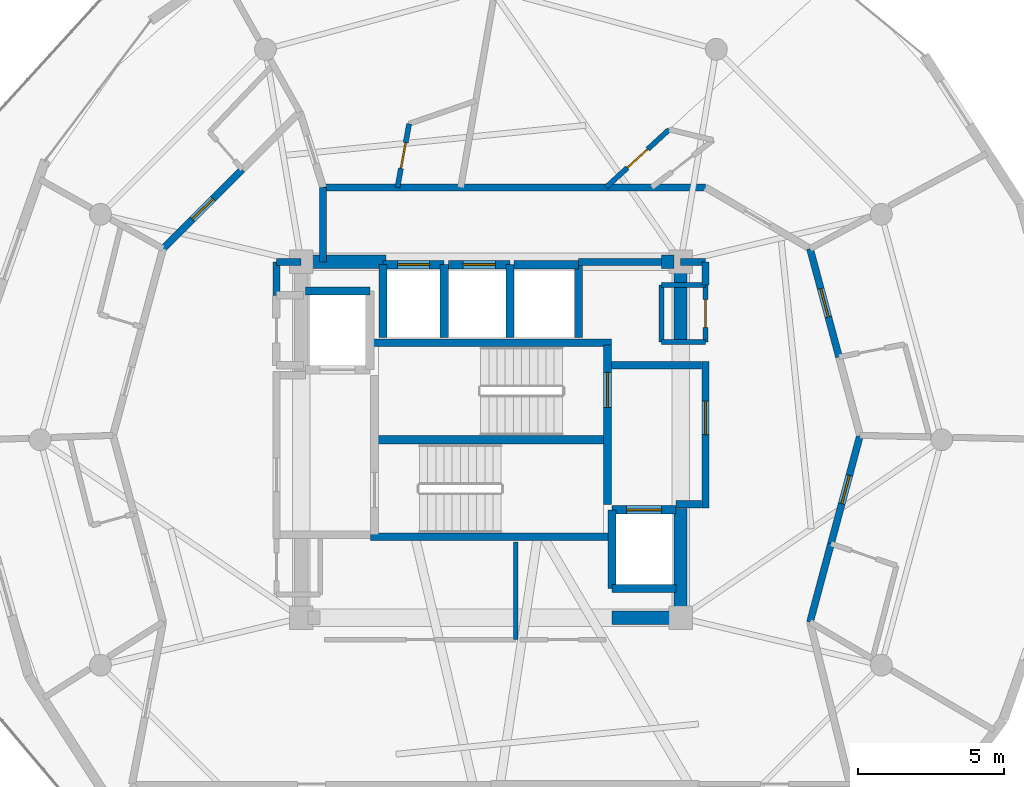
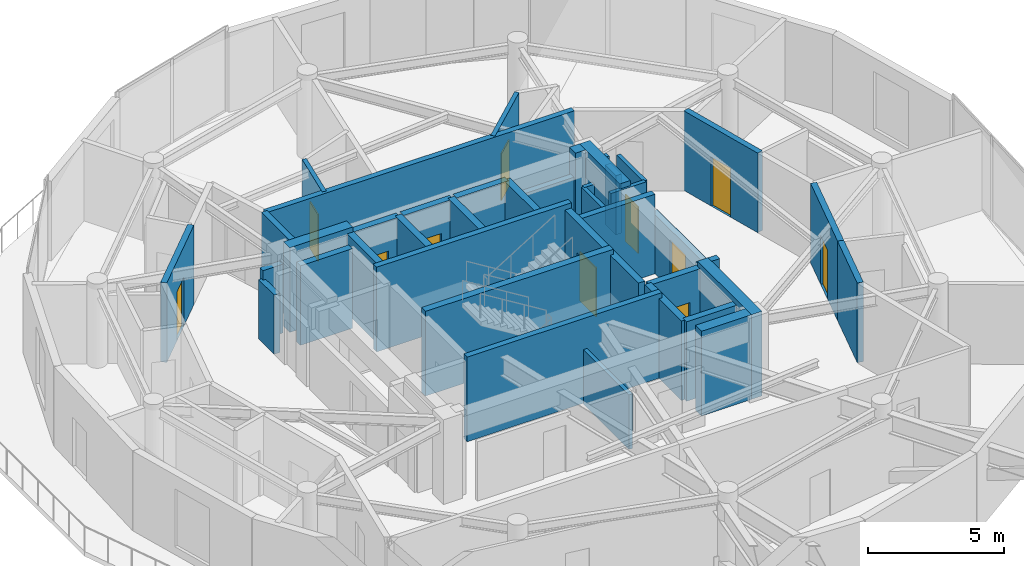
# One storey, part 12 of 16: 41 walls, 11 doors, 11 openings.
"""IFC4 building model written with IfcOpenShell, lengths in metres."""

from ifc_helpers import new_model, si_unit, direction, frame, frame_2d, origin, place, context, subcontext, project, spatial, rectangle, extrude, material, layer, layer_set, type_object, element, fill, save


model = new_model("IFC4")

# Units and contexts
model_context = context("Model", 3, precision=1e-05, world=origin(), true_north=direction((0.0, 1.0)))
body_context = subcontext(model_context, "Body", "Model", "MODEL_VIEW")
ifc_project = project(units=[si_unit("LENGTHUNIT", "METRE"), si_unit("AREAUNIT", "SQUARE_METRE"), si_unit("VOLUMEUNIT", "CUBIC_METRE"), si_unit("PLANEANGLEUNIT", "RADIAN"), si_unit("MASSUNIT", "GRAM", prefix="KILO")], contexts=[model_context])

# Site, building, storey
site_placement = place(None, origin())
site = spatial("IfcSite", under=ifc_project, at=site_placement, CompositionType="ELEMENT")
building_placement = place(site_placement, origin())
building = spatial("IfcBuilding", under=site, at=building_placement, Name="Solvirekh Grand Hotel", CompositionType="ELEMENT")
storey_placement = place(building_placement, frame((0.0, 0.0, 258.199951171875)))
storey = spatial("IfcBuildingStorey", under=building, at=storey_placement, Name="L67", CompositionType="ELEMENT", Elevation=258.199951171875)

# Walls
ifc_material_1 = material(Name="Concrete C50/60", Category="concrete")
ifc_layer_1 = layer(ifc_material_1, 0.35009765625)
ifc_layer_set_1 = layer_set([ifc_layer_1], Name="Concrete C50/60")
wall_type_1 = type_object("IfcWallType", Name="CoreDivWall_RC350", PredefinedType="SOLIDWALL", material=ifc_layer_set_1)
for number, where, z_axis, x_axis, name in (
    (1, (-4.1298828125, -3.324951171875, 0.0), (0.0, 0.0, 1.0), (1.0, 0.0, 0.0), "L67 core stair box wall ST-S"),
    (2, (-4.1298828125, 3.324951171875, 0.0), (0.0, 0.0, 1.0), (1.0, 0.0, 0.0), "L67 core stair box wall ST-N"),
):
    element("IfcWall", number, at=place(storey_placement, frame(where, z_axis=z_axis, x_axis=x_axis)), inside=storey, type_object=wall_type_1, Name=name, PredefinedType="SOLIDWALL", context=body_context, shape_type="SweptSolid", body=[
        extrude(rectangle(XDim=8.259765625, YDim=0.25, at=frame_2d((4.1298828125, 0.0))), origin(), (0.0, 0.0, 1.0), 3.800048828125),
    ])

# Wall, opening, door
ifc_material_2 = material(Name="Concrete C40/50", Category="concrete")
ifc_layer_2 = layer(ifc_material_2, 0.280029296875)
ifc_layer_set_2 = layer_set([ifc_layer_2], Name="Concrete C40/50")
wall_type_2 = type_object("IfcWallType", Name="CoreShaftWall_RC280", PredefinedType="SOLIDWALL", material=ifc_layer_set_2)
wall_1_placement = place(storey_placement, frame((-1.60009765625, 6.0, 0.0), z_axis=(0.0, 0.0, 1.0), x_axis=(-1.0, 0.0, 0.0)))
wall_1 = element("IfcWall", 3, at=wall_1_placement, inside=storey, type_object=wall_type_2, Name="L67 HP-1 hoistway N wall", PredefinedType="SOLIDWALL", context=body_context, shape_type="SweptSolid", body=[
    extrude(rectangle(XDim=2.099853515625, YDim=0.280029296875, at=frame_2d((1.0498046875, 0.0))), origin(), (0.0, 0.0, 1.0), 3.570068359375),
])
opening_1_placement = place(wall_1_placement, frame((0.5, 0.0, 0.0)))
opening_1 = element("IfcOpeningElement", 4, at=opening_1_placement, cuts=wall_1, Name="Opening LD01", PredefinedType="OPENING", context=body_context, shape_type="SweptSolid", body=[
    extrude(rectangle(XDim=1.10009765625, YDim=2.199951171875, at=frame_2d((0.550048828125, 1.10009765625))), frame((0.0, 0.14990234375, 0.0), z_axis=(0.0, -1.0, 0.0), x_axis=(1.0, 0.0, 0.0)), (0.0, 0.0, 1.0), 0.300048828125),
])
ifc_material_3 = material(Name="Fire-Rated Steel Door Assembly", Category="steel")
door_type_1 = type_object("IfcDoorType", Name="Door_LiftLanding_1100X2200", OperationType="SLIDING_TO_LEFT", PredefinedType="DOOR", material=ifc_material_3)
door_1_placement = place(opening_1_placement, origin())
door_1 = element("IfcDoor", 5, at=door_1_placement, inside=storey, type_object=door_type_1, Name="L67 HP-1 sliding lift landing door", OperationType="SLIDING_TO_LEFT", OverallHeight=2.199951171875, OverallWidth=1.10009765625, PredefinedType="DOOR", context=body_context, shape_type="SweptSolid", body=[
    extrude(rectangle(XDim=1.10009765625, YDim=2.199951171875, at=frame_2d((0.550048828125, 1.10009765625))), frame((0.0, 0.02490234375, 0.0), z_axis=(0.0, -1.0, 0.0), x_axis=(1.0, 0.0, 0.0)), (0.0, 0.0, 1.0), 0.050048828125),
])
fill(opening_1, door_1)

# Walls
for number, where, z_axis, x_axis, name in (
    (6, (-3.699951171875, 6.0, 0.0), (0.0, 0.0, 1.0), (0.0, -1.0, 0.0), "L67 HP-1 hoistway W wall"),
    (7, (-1.60009765625, 3.5, 0.0), (0.0, 0.0, 1.0), (0.0, 1.0, 0.0), "L67 HP-1 hoistway E wall"),
):
    element("IfcWall", number, at=place(storey_placement, frame(where, z_axis=z_axis, x_axis=x_axis)), inside=storey, type_object=wall_type_2, Name=name, PredefinedType="SOLIDWALL", context=body_context, shape_type="SweptSolid", body=[
        extrude(rectangle(XDim=2.5, YDim=0.280029296875, at=frame_2d((1.25, 0.0))), origin(), (0.0, 0.0, 1.0), 3.570068359375),
    ])

# Wall, opening, door
wall_2_placement = place(storey_placement, frame((0.64990234375, 6.0, 0.0), z_axis=(0.0, 0.0, 1.0), x_axis=(-1.0, 0.0, 0.0)))
wall_2 = element("IfcWall", 8, at=wall_2_placement, inside=storey, type_object=wall_type_2, Name="L67 HP-2 hoistway N wall", PredefinedType="SOLIDWALL", context=body_context, shape_type="SweptSolid", body=[
    extrude(rectangle(XDim=2.099853515625, YDim=0.280029296875, at=frame_2d((1.0498046875, 0.0))), origin(), (0.0, 0.0, 1.0), 3.570068359375),
])
opening_2_placement = place(wall_2_placement, frame((0.5, 0.0, 0.0)))
opening_2 = element("IfcOpeningElement", 9, at=opening_2_placement, cuts=wall_2, Name="Opening LD01", PredefinedType="OPENING", context=body_context, shape_type="SweptSolid", body=[
    extrude(rectangle(XDim=1.10009765625, YDim=2.199951171875, at=frame_2d((0.550048828125, 1.10009765625))), frame((0.0, 0.14990234375, 0.0), z_axis=(0.0, -1.0, 0.0), x_axis=(1.0, 0.0, 0.0)), (0.0, 0.0, 1.0), 0.300048828125),
])
door_2_placement = place(opening_2_placement, origin())
door_2 = element("IfcDoor", 10, at=door_2_placement, inside=storey, type_object=door_type_1, Name="L67 HP-2 sliding lift landing door", OperationType="SLIDING_TO_LEFT", OverallHeight=2.199951171875, OverallWidth=1.10009765625, PredefinedType="DOOR", context=body_context, shape_type="SweptSolid", body=[
    extrude(rectangle(XDim=1.10009765625, YDim=2.199951171875, at=frame_2d((0.550048828125, 1.10009765625))), frame((0.0, 0.02490234375, 0.0), z_axis=(0.0, -1.0, 0.0), x_axis=(1.0, 0.0, 0.0)), (0.0, 0.0, 1.0), 0.050048828125),
])
fill(opening_2, door_2)

# Walls
wall_3_placement = place(storey_placement, frame((0.64990234375, 3.5, 0.0), z_axis=(0.0, 0.0, 1.0), x_axis=(0.0, 1.0, 0.0)))
element("IfcWall", 11, at=wall_3_placement, inside=storey, type_object=wall_type_2, Name="L67 HP-2 hoistway E wall", PredefinedType="SOLIDWALL", context=body_context, shape_type="SweptSolid", body=[
    extrude(rectangle(XDim=2.5, YDim=0.280029296875, at=frame_2d((1.25, 0.0))), origin(), (0.0, 0.0, 1.0), 3.570068359375),
])
wall_4_placement = place(storey_placement, frame((3.0, 6.0, 0.0), z_axis=(0.0, 0.0, 1.0), x_axis=(-1.0, 0.0, 0.0)))
element("IfcWall", 12, at=wall_4_placement, inside=storey, type_object=wall_type_2, Name="L67 EX-1 hoistway N wall", PredefinedType="SOLIDWALL", context=body_context, shape_type="SweptSolid", body=[
    extrude(rectangle(XDim=2.199951171875, YDim=0.280029296875, at=frame_2d((1.10009765625, 0.0))), origin(), (0.0, 0.0, 1.0), 3.570068359375),
])
wall_5_placement = place(storey_placement, frame((3.0, 3.5, 0.0), z_axis=(0.0, 0.0, 1.0), x_axis=(0.0, 1.0, 0.0)))
element("IfcWall", 13, at=wall_5_placement, inside=storey, type_object=wall_type_2, Name="L67 EX-1 hoistway E wall", PredefinedType="SOLIDWALL", context=body_context, shape_type="SweptSolid", body=[
    extrude(rectangle(XDim=2.5, YDim=0.280029296875, at=frame_2d((1.25, 0.0))), origin(), (0.0, 0.0, 1.0), 3.570068359375),
])
for number, where, z_axis, x_axis, name in (
    (14, (-4.14990234375, 5.10009765625, 0.0), (0.0, 0.0, 1.0), (-1.0, 0.0, 0.0), "L67 FL-1 hoistway N wall"),
    (15, (4.14990234375, -5.10009765625, 0.0), (0.0, 0.0, 1.0), (1.0, 0.0, 0.0), "L67 FL-2 hoistway S wall"),
):
    element("IfcWall", number, at=place(storey_placement, frame(where, z_axis=z_axis, x_axis=x_axis)), inside=storey, type_object=wall_type_2, Name=name, PredefinedType="SOLIDWALL", context=body_context, shape_type="SweptSolid", body=[
        extrude(rectangle(XDim=2.2001953125, YDim=0.280029296875, at=frame_2d((1.10009765625, 0.0))), origin(), (0.0, 0.0, 1.0), 3.570068359375),
    ])

# Wall, opening, door
wall_6_placement = place(storey_placement, frame((6.35009765625, -2.39990234375, 0.0), z_axis=(0.0, 0.0, 1.0), x_axis=(-1.0, 0.0, 0.0)))
wall_6 = element("IfcWall", 16, at=wall_6_placement, inside=storey, type_object=wall_type_2, Name="L67 FL-2 hoistway N wall", PredefinedType="SOLIDWALL", context=body_context, shape_type="SweptSolid", body=[
    extrude(rectangle(XDim=2.2001953125, YDim=0.280029296875, at=frame_2d((1.10009765625, 0.0))), origin(), (0.0, 0.0, 1.0), 3.570068359375),
])
opening_3_placement = place(wall_6_placement, frame((0.5, 0.0, 0.0)))
opening_3 = element("IfcOpeningElement", 17, at=opening_3_placement, cuts=wall_6, Name="Opening LD02", PredefinedType="OPENING", context=body_context, shape_type="SweptSolid", body=[
    extrude(rectangle(XDim=1.199951171875, YDim=2.199951171875, at=frame_2d((0.60009765625, 1.10009765625))), frame((0.0, 0.14990234375, 0.0), z_axis=(0.0, -1.0, 0.0), x_axis=(1.0, 0.0, 0.0)), (0.0, 0.0, 1.0), 0.300048828125),
])
door_type_2 = type_object("IfcDoorType", Name="Door_LiftFF_1200X2200", OperationType="SLIDING_TO_LEFT", PredefinedType="DOOR", material=ifc_material_3)
door_3_placement = place(opening_3_placement, origin())
door_3 = element("IfcDoor", 18, at=door_3_placement, inside=storey, type_object=door_type_2, Name="L67 FL-2 sliding lift landing door", OperationType="SLIDING_TO_LEFT", OverallHeight=2.199951171875, OverallWidth=1.199951171875, PredefinedType="DOOR", context=body_context, shape_type="SweptSolid", body=[
    extrude(rectangle(XDim=1.199951171875, YDim=2.199951171875, at=frame_2d((0.60009765625, 1.10009765625))), frame((0.0, 0.02490234375, 0.0), z_axis=(0.0, -1.0, 0.0), x_axis=(1.0, 0.0, 0.0)), (0.0, 0.0, 1.0), 0.050048828125),
])
fill(opening_3, door_3)

# Wall
wall_7_placement = place(storey_placement, frame((4.14990234375, -2.39990234375, 0.0), z_axis=(0.0, 0.0, 1.0), x_axis=(0.0, -1.0, 0.0)))
element("IfcWall", 19, at=wall_7_placement, inside=storey, type_object=wall_type_2, Name="L67 FL-2 hoistway W wall", PredefinedType="SOLIDWALL", context=body_context, shape_type="SweptSolid", body=[
    extrude(rectangle(XDim=2.7001953125, YDim=0.280029296875, at=frame_2d((1.35009765625, 0.0))), origin(), (0.0, 0.0, 1.0), 3.570068359375),
])

# Wall, opening, door
wall_8_placement = place(storey_placement, frame((3.989990234375, -2.2099609375, 0.0), z_axis=(0.0, 0.0, 1.0), x_axis=(0.0, 1.0, 0.0)))
wall_8 = element("IfcWall", 20, at=wall_8_placement, inside=storey, type_object=wall_type_2, Name="L67 east stair landing enclosure wall", PredefinedType="SOLIDWALL", context=body_context, shape_type="SweptSolid", body=[
    extrude(rectangle(XDim=5.4599609375, YDim=0.280029296875, at=frame_2d((2.72998046875, 0.0))), origin(), (0.0, 0.0, 1.0), 3.570068359375),
])
opening_4_placement = place(wall_8_placement, frame((3.322998046875, 0.0, 0.0)))
opening_4 = element("IfcOpeningElement", 21, at=opening_4_placement, cuts=wall_8, Name="Opening D05", PredefinedType="OPENING", context=body_context, shape_type="SweptSolid", body=[
    extrude(rectangle(XDim=1.199951171875, YDim=2.199951171875, at=frame_2d((0.60009765625, 1.10009765625))), frame((0.0, 0.14990234375, 0.0), z_axis=(0.0, -1.0, 0.0), x_axis=(1.0, 0.0, 0.0)), (0.0, 0.0, 1.0), 0.300048828125),
])
door_type_3 = type_object("IfcDoorType", Name="Door_StairCore_1200X2200", OperationType="NOTDEFINED", PredefinedType="DOOR", material=ifc_material_3)
door_4_placement = place(opening_4_placement, origin())
door_4 = element("IfcDoor", 22, at=door_4_placement, inside=storey, type_object=door_type_3, Name="L67 exit stair ST-2 fire door", OperationType="SINGLE_SWING_LEFT", OverallHeight=2.199951171875, OverallWidth=1.199951171875, PredefinedType="DOOR", context=body_context, shape_type="SweptSolid", body=[
    extrude(rectangle(XDim=1.199951171875, YDim=2.199951171875, at=frame_2d((0.60009765625, 1.10009765625))), frame((0.0, 0.02490234375, 0.0), z_axis=(0.0, -1.0, 0.0), x_axis=(1.0, 0.0, 0.0)), (0.0, 0.0, 1.0), 0.050048828125),
])
fill(opening_4, door_4)

# Walls
ifc_layer_3 = layer(ifc_material_1, 0.449951171875)
ifc_layer_set_3 = layer_set([ifc_layer_3], Name="Concrete C50/60")
wall_type_3 = type_object("IfcWallType", Name="CoreWall_RC450", PredefinedType="SHEAR", material=ifc_layer_set_3)
wall_9_placement = place(storey_placement, frame((-3.989990234375, 0.0, 0.0), z_axis=(0.0, 0.0, 1.0), x_axis=(1.0, 0.0, 0.0)))
element("IfcWall", 23, at=wall_9_placement, inside=storey, type_object=wall_type_3, Name="L67 central stair-spine shear wall", PredefinedType="SHEAR", context=body_context, shape_type="SweptSolid", body=[
    extrude(rectangle(XDim=7.97998046875, YDim=0.300048828125, at=frame_2d((3.989990234375, 0.0))), origin(), (0.0, 0.0, 1.0), 3.800048828125),
])
wall_10_placement = place(storey_placement, frame((4.14990234375, -6.10009765625, 0.0), z_axis=(0.0, 0.0, 1.0), x_axis=(1.0, 0.0, 0.0)))
element("IfcWall", 24, at=wall_10_placement, inside=storey, type_object=wall_type_3, Name="L67 core corner shear wall SE-S", PredefinedType="SHEAR", context=body_context, shape_type="SweptSolid", body=[
    extrude(rectangle(XDim=2.125, YDim=0.449951171875, at=frame_2d((1.0625, 0.0))), origin(), (0.0, 0.0, 1.0), 3.800048828125),
])
wall_11_placement = place(storey_placement, frame((-6.27490234375, 6.10009765625, 0.0), z_axis=(0.0, 0.0, 1.0), x_axis=(1.0, 0.0, 0.0)))
element("IfcWall", 25, at=wall_11_placement, inside=storey, type_object=wall_type_3, Name="L67 core corner shear wall NW-N", PredefinedType="SHEAR", context=body_context, shape_type="SweptSolid", body=[
    extrude(rectangle(XDim=2.6748046875, YDim=0.449951171875, at=frame_2d((1.33740234375, 0.0))), origin(), (0.0, 0.0, 1.0), 3.800048828125),
])
wall_12_placement = place(storey_placement, frame((5.85009765625, 6.10009765625, 0.0), z_axis=(0.0, 0.0, 1.0), x_axis=(1.0, 0.0, 0.0)))
element("IfcWall", 26, at=wall_12_placement, inside=storey, type_object=wall_type_3, Name="L67 core corner shear wall NE-N", PredefinedType="SHEAR", context=body_context, shape_type="SweptSolid", body=[
    extrude(rectangle(XDim=0.4248046875, YDim=0.449951171875, at=frame_2d((0.21240234375, 0.0))), origin(), (0.0, 0.0, 1.0), 3.800048828125),
])
wall_13_placement = place(storey_placement, frame((6.5, -6.324951171875, 0.0), z_axis=(0.0, 0.0, 1.0), x_axis=(0.0, 1.0, 0.0)))
element("IfcWall", 27, at=wall_13_placement, inside=storey, type_object=wall_type_3, Name="L67 core corner shear wall ES-E", PredefinedType="SHEAR", context=body_context, shape_type="SweptSolid", body=[
    extrude(rectangle(XDim=3.974853515625, YDim=0.449951171875, at=frame_2d((1.9873046875, 0.0))), origin(), (0.0, 0.0, 1.0), 3.800048828125),
])
wall_14_placement = place(storey_placement, frame((6.5, 3.35009765625, 0.0), z_axis=(0.0, 0.0, 1.0), x_axis=(0.0, 1.0, 0.0)))
element("IfcWall", 28, at=wall_14_placement, inside=storey, type_object=wall_type_3, Name="L67 core corner shear wall EN-E", PredefinedType="SHEAR", context=body_context, shape_type="SweptSolid", body=[
    extrude(rectangle(XDim=2.974853515625, YDim=0.449951171875, at=frame_2d((1.4873046875, 0.0))), origin(), (0.0, 0.0, 1.0), 3.800048828125),
])
ifc_material_4 = material(Name="Acoustic Gypsum Partition Assembly")
ifc_layer_4 = layer(ifc_material_4, 0.1650390625)
ifc_layer_set_4 = layer_set([ifc_layer_4], Name="Acoustic Gypsum Partition Assembly")
wall_type_4 = type_object("IfcWallType", Name="Part_BOH_165", PredefinedType="PARTITIONING", material=ifc_layer_set_4)
wall_15_placement = place(storey_placement, frame((5.85009765625, 3.35009765625, 0.0), z_axis=(0.0, 0.0, 1.0), x_axis=(1.0, 0.0, 0.0)))
element("IfcWall", 29, at=wall_15_placement, inside=storey, type_object=wall_type_4, Name="L67 L67 Core Housekeeping Room wall 1", PredefinedType="PARTITIONING", context=body_context, shape_type="SweptSolid", body=[
    extrude(rectangle(XDim=1.5, YDim=0.1650390625, at=frame_2d((0.75, 0.0))), origin(), (0.0, 0.0, 1.0), 3.570068359375),
])

# Wall, opening, door
wall_16_placement = place(storey_placement, frame((7.35009765625, 3.35009765625, 0.0), z_axis=(0.0, 0.0, 1.0), x_axis=(0.0, 1.0, 0.0)))
wall_16 = element("IfcWall", 30, at=wall_16_placement, inside=storey, type_object=wall_type_4, Name="L67 L67 Core Housekeeping Room wall 2", PredefinedType="PARTITIONING", context=body_context, shape_type="SweptSolid", body=[
    extrude(rectangle(XDim=1.949951171875, YDim=0.1650390625, at=frame_2d((0.97509765625, 0.0))), origin(), (0.0, 0.0, 1.0), 3.570068359375),
])
opening_5_placement = place(wall_16_placement, frame((0.5, 0.0, 0.0)))
opening_5 = element("IfcOpeningElement", 31, at=opening_5_placement, cuts=wall_16, Name="Opening D10", PredefinedType="OPENING", context=body_context, shape_type="SweptSolid", body=[
    extrude(rectangle(XDim=0.949951171875, YDim=2.10009765625, at=frame_2d((0.47509765625, 1.050048828125))), frame((0.0, 0.092529296875, 0.0), z_axis=(0.0, -1.0, 0.0), x_axis=(1.0, 0.0, 0.0)), (0.0, 0.0, 1.0), 0.18505859375),
])
ifc_material_5 = material(Name="Anodized Bronze Aluminium 6063-T6", Category="aluminium")
door_type_4 = type_object("IfcDoorType", Name="Door_RoomInt_950X2100", OperationType="NOTDEFINED", PredefinedType="DOOR", material=ifc_material_5)
door_5_placement = place(opening_5_placement, origin())
door_5 = element("IfcDoor", 32, at=door_5_placement, inside=storey, type_object=door_type_4, Name="L67 L67 Core Housekeeping Room door", OperationType="SINGLE_SWING_RIGHT", OverallHeight=2.10009765625, OverallWidth=0.949951171875, PredefinedType="DOOR", context=body_context, shape_type="SweptSolid", body=[
    extrude(rectangle(XDim=0.949951171875, YDim=2.10009765625, at=frame_2d((0.47509765625, 1.050048828125))), frame((0.0, 0.02490234375, 0.0), z_axis=(0.0, -1.0, 0.0), x_axis=(1.0, 0.0, 0.0)), (0.0, 0.0, 1.0), 0.050048828125),
])
fill(opening_5, door_5)

# Walls
wall_17_placement = place(storey_placement, frame((7.35009765625, 5.300048828125, 0.0), z_axis=(0.0, 0.0, 1.0), x_axis=(-1.0, 0.0, 0.0)))
element("IfcWall", 33, at=wall_17_placement, inside=storey, type_object=wall_type_4, Name="L67 L67 Core Housekeeping Room wall 3", PredefinedType="PARTITIONING", context=body_context, shape_type="SweptSolid", body=[
    extrude(rectangle(XDim=1.5, YDim=0.1650390625, at=frame_2d((0.75, 0.0))), origin(), (0.0, 0.0, 1.0), 2.655029296875),
])
wall_18_placement = place(storey_placement, frame((5.85009765625, 5.300048828125, 0.0), z_axis=(0.0, 0.0, 1.0), x_axis=(0.0, -1.0, 0.0)))
element("IfcWall", 34, at=wall_18_placement, inside=storey, type_object=wall_type_4, Name="L67 L67 Core Housekeeping Room wall 4", PredefinedType="PARTITIONING", context=body_context, shape_type="SweptSolid", body=[
    extrude(rectangle(XDim=1.949951171875, YDim=0.1650390625, at=frame_2d((0.97509765625, 0.0))), origin(), (0.0, 0.0, 1.0), 2.655029296875),
])
wall_19_placement = place(storey_placement, frame((0.85009765625, -6.85009765625, 0.0), z_axis=(0.0, 0.0, 1.0), x_axis=(0.0, 1.0, 0.0)))
element("IfcWall", 35, at=wall_19_placement, inside=storey, type_object=wall_type_4, Name="L67 Housekeeping Linen Room wall 2", PredefinedType="PARTITIONING", context=body_context, shape_type="SweptSolid", body=[
    extrude(rectangle(XDim=3.35009765625, YDim=0.1650390625, at=frame_2d((1.675048828125, 0.0))), origin(), (0.0, 0.0, 1.0), 2.448974609375),
])

# Wall, opening, door
ifc_layer_5 = layer(ifc_material_4, 0.239990234375)
ifc_layer_set_5 = layer_set([ifc_layer_5], Name="Acoustic Gypsum Partition Assembly")
wall_type_5 = type_object("IfcWallType", Name="Part_Corridor_240", PredefinedType="PARTITIONING", material=ifc_layer_set_5)
wall_20_placement = place(storey_placement, frame((7.35009765625, -2.340087890625, 0.0), z_axis=(0.0, 0.0, 1.0), x_axis=(0.0, 1.0, 0.0)))
wall_20 = element("IfcWall", 36, at=wall_20_placement, inside=storey, type_object=wall_type_5, Name="L67 east firefighting lobby smoke screen wall", PredefinedType="PARTITIONING", context=body_context, shape_type="SweptSolid", body=[
    extrude(rectangle(XDim=5.02001953125, YDim=0.239990234375, at=frame_2d((2.510009765625, 0.0))), origin(), (0.0, 0.0, 1.0), 2.655029296875),
])
opening_6_placement = place(wall_20_placement, frame((2.514892578125, 0.0, 0.0)))
opening_6 = element("IfcOpeningElement", 37, at=opening_6_placement, cuts=wall_20, Name="Opening D06", PredefinedType="OPENING", context=body_context, shape_type="SweptSolid", body=[
    extrude(rectangle(XDim=1.14990234375, YDim=2.199951171875, at=frame_2d((0.574951171875, 1.10009765625))), frame((0.0, 0.1298828125, 0.0), z_axis=(0.0, -1.0, 0.0), x_axis=(1.0, 0.0, 0.0)), (0.0, 0.0, 1.0), 0.260009765625),
])
door_type_5 = type_object("IfcDoorType", Name="Door_FFLobby_1150X2200", OperationType="NOTDEFINED", PredefinedType="DOOR", material=ifc_material_3)
door_6_placement = place(opening_6_placement, origin())
door_6 = element("IfcDoor", 38, at=door_6_placement, inside=storey, type_object=door_type_5, Name="L67 east firefighting lobby smoke door", OperationType="SINGLE_SWING_LEFT", OverallHeight=2.199951171875, OverallWidth=1.14990234375, PredefinedType="DOOR", context=body_context, shape_type="SweptSolid", body=[
    extrude(rectangle(XDim=1.14990234375, YDim=2.199951171875, at=frame_2d((0.574951171875, 1.10009765625))), frame((0.0, 0.02490234375, 0.0), z_axis=(0.0, -1.0, 0.0), x_axis=(1.0, 0.0, 0.0)), (0.0, 0.0, 1.0), 0.050048828125),
])
fill(opening_6, door_6)

# Walls
wall_21_placement = place(storey_placement, frame((-5.75, 8.64990234375, 0.0), z_axis=(0.0, 0.0, 1.0), x_axis=(1.0, 0.0, 0.0)))
element("IfcWall", 39, at=wall_21_placement, inside=storey, type_object=wall_type_5, Name="L67 north lift lobby enclosure wall", PredefinedType="PARTITIONING", context=body_context, shape_type="SweptSolid", body=[
    extrude(rectangle(XDim=13.10009765625, YDim=0.239990234375, at=frame_2d((6.550048828125, 0.0))), origin(), (0.0, 0.0, 1.0), 3.570068359375),
])
wall_22_placement = place(storey_placement, frame((3.0, 6.10009765625, 0.0), z_axis=(0.0, 0.0, 1.0), x_axis=(1.0, 0.0, 0.0)))
element("IfcWall", 40, at=wall_22_placement, inside=storey, type_object=wall_type_5, Name="L67 north core shaft infill wall", PredefinedType="PARTITIONING", context=body_context, shape_type="SweptSolid", body=[
    extrude(rectangle(XDim=2.85009765625, YDim=0.239990234375, at=frame_2d((1.425048828125, 0.0))), origin(), (0.0, 0.0, 1.0), 2.655029296875),
])
wall_23_placement = place(storey_placement, frame((7.35009765625, 5.300048828125, 0.0), z_axis=(0.0, 0.0, 1.0), x_axis=(0.0, 1.0, 0.0)))
element("IfcWall", 41, at=wall_23_placement, inside=storey, type_object=wall_type_5, Name="L67 NE core cheek closure wall", PredefinedType="PARTITIONING", context=body_context, shape_type="SweptSolid", body=[
    extrude(rectangle(XDim=0.800048828125, YDim=0.239990234375, at=frame_2d((0.39990234375, 0.0))), origin(), (0.0, 0.0, 1.0), 2.655029296875),
])
wall_24_placement = place(storey_placement, frame((6.5, 6.10009765625, 0.0), z_axis=(0.0, 0.0, 1.0), x_axis=(1.0, 0.0, 0.0)))
element("IfcWall", 42, at=wall_24_placement, inside=storey, type_object=wall_type_5, Name="L67 NE core corner tie wall", PredefinedType="PARTITIONING", context=body_context, shape_type="SweptSolid", body=[
    extrude(rectangle(XDim=0.85009765625, YDim=0.239990234375, at=frame_2d((0.425048828125, 0.0))), origin(), (0.0, 0.0, 1.0), 3.0849609375),
])
wall_25_placement = place(storey_placement, frame((-5.75, 6.10009765625, 0.0), z_axis=(0.0, 0.0, 1.0), x_axis=(0.0, 1.0, 0.0)))
element("IfcWall", 43, at=wall_25_placement, inside=storey, type_object=wall_type_5, Name="L67 north lift lobby west wall", PredefinedType="PARTITIONING", context=body_context, shape_type="SweptSolid", body=[
    extrude(rectangle(XDim=2.5498046875, YDim=0.239990234375, at=frame_2d((1.27490234375, 0.0))), origin(), (0.0, 0.0, 1.0), 3.570068359375),
])
wall_26_placement = place(storey_placement, frame((-7.35009765625, 4.949951171875, 0.0), z_axis=(0.0, 0.0, 1.0), x_axis=(0.0, 1.0, 0.0)))
element("IfcWall", 44, at=wall_26_placement, inside=storey, type_object=wall_type_5, Name="L67 NW core cheek closure wall", PredefinedType="PARTITIONING", context=body_context, shape_type="SweptSolid", body=[
    extrude(rectangle(XDim=1.150146484375, YDim=0.239990234375, at=frame_2d((0.5751953125, 0.0))), origin(), (0.0, 0.0, 1.0), 2.655029296875),
])
wall_27_placement = place(storey_placement, frame((-7.35009765625, 6.10009765625, 0.0), z_axis=(0.0, 0.0, 1.0), x_axis=(1.0, 0.0, 0.0)))
element("IfcWall", 45, at=wall_27_placement, inside=storey, type_object=wall_type_5, Name="L67 NW core corner tie wall", PredefinedType="PARTITIONING", context=body_context, shape_type="SweptSolid", body=[
    extrude(rectangle(XDim=0.85009765625, YDim=0.239990234375, at=frame_2d((0.425048828125, 0.0))), origin(), (0.0, 0.0, 1.0), 3.0849609375),
])

# Wall, opening, door
wall_28_placement = place(storey_placement, frame((-8.51806640625, 9.26708984375, 0.0), z_axis=(0.0, 0.0, 1.0), x_axis=(-0.707106781187, -0.707106781187, 0.0)))
wall_28 = element("IfcWall", 46, at=wall_28_placement, inside=storey, type_object=wall_type_5, Name="L67 Deluxe Guestroom 6903 entrance wall", PredefinedType="PARTITIONING", context=body_context, shape_type="SweptSolid", body=[
    extrude(rectangle(XDim=3.842529296875, YDim=0.239990234375, at=frame_2d((1.92138671875, 0.0))), origin(), (0.0, 0.0, 1.0), 3.570068359375),
])
opening_7_placement = place(wall_28_placement, frame((1.4208984375, 0.0, 0.0)))
opening_7 = element("IfcOpeningElement", 47, at=opening_7_placement, cuts=wall_28, Name="Opening D07", PredefinedType="OPENING", context=body_context, shape_type="SweptSolid", body=[
    extrude(rectangle(XDim=1.0, YDim=2.199951171875, at=frame_2d((0.5, 1.10009765625))), frame((0.0, 0.1298828125, 0.0), z_axis=(0.0, -1.0, 0.0), x_axis=(1.0, 0.0, 0.0)), (0.0, 0.0, 1.0), 0.260009765625),
])
door_type_6 = type_object("IfcDoorType", Name="Door_GuestEntry_1000X2200", OperationType="NOTDEFINED", PredefinedType="DOOR", material=ifc_material_3)
door_7_placement = place(opening_7_placement, origin())
door_7 = element("IfcDoor", 48, at=door_7_placement, inside=storey, type_object=door_type_6, Name="L67 Deluxe Guestroom 6903 entrance door", OperationType="SINGLE_SWING_LEFT", OverallHeight=2.199951171875, OverallWidth=1.0, PredefinedType="DOOR", context=body_context, shape_type="SweptSolid", body=[
    extrude(rectangle(XDim=1.0, YDim=2.199951171875, at=frame_2d((0.5, 1.10009765625))), frame((0.0, 0.02490234375, 0.0), z_axis=(0.0, -1.0, 0.0), x_axis=(1.0, 0.0, 0.0)), (0.0, 0.0, 1.0), 0.050048828125),
])
fill(opening_7, door_7)

# Wall
wall_29_placement = place(storey_placement, frame((10.93505859375, -6.25, 0.0), z_axis=(0.0, 0.0, 1.0), x_axis=(0.258727314432, 0.96595040078, 0.0)))
element("IfcWall", 49, at=wall_29_placement, inside=storey, type_object=wall_type_5, Name="L67 En-suite Bathroom 6906 corridor backing wall", PredefinedType="PARTITIONING", context=body_context, shape_type="SweptSolid", body=[
    extrude(rectangle(XDim=2.78271484375, YDim=0.239990234375, at=frame_2d((1.391357421875, 0.0))), origin(), (0.0, 0.0, 1.0), 3.570068359375),
])

# Wall, opening, door
wall_30_placement = place(storey_placement, frame((11.655029296875, -3.56201171875, 0.0), z_axis=(0.0, 0.0, 1.0), x_axis=(0.258884274469, 0.965908345772, 0.0)))
wall_30 = element("IfcWall", 50, at=wall_30_placement, inside=storey, type_object=wall_type_5, Name="L67 Deluxe Guestroom 6906 entrance wall", PredefinedType="PARTITIONING", context=body_context, shape_type="SweptSolid", body=[
    extrude(rectangle(XDim=3.843017578125, YDim=0.239990234375, at=frame_2d((1.92138671875, 0.0))), origin(), (0.0, 0.0, 1.0), 3.570068359375),
])
opening_8_placement = place(wall_30_placement, frame((1.422119140625, 0.0, 0.0)))
opening_8 = element("IfcOpeningElement", 51, at=opening_8_placement, cuts=wall_30, Name="Opening D07", PredefinedType="OPENING", context=body_context, shape_type="SweptSolid", body=[
    extrude(rectangle(XDim=1.0, YDim=2.199951171875, at=frame_2d((0.5, 1.10009765625))), frame((0.0, 0.1298828125, 0.0), z_axis=(0.0, -1.0, 0.0), x_axis=(1.0, 0.0, 0.0)), (0.0, 0.0, 1.0), 0.260009765625),
])
door_8_placement = place(opening_8_placement, origin())
door_8 = element("IfcDoor", 52, at=door_8_placement, inside=storey, type_object=door_type_6, Name="L67 Deluxe Guestroom 6906 entrance door", OperationType="SINGLE_SWING_LEFT", OverallHeight=2.199951171875, OverallWidth=1.0, PredefinedType="DOOR", context=body_context, shape_type="SweptSolid", body=[
    extrude(rectangle(XDim=1.0, YDim=2.199951171875, at=frame_2d((0.5, 1.10009765625))), frame((0.0, 0.02490234375, 0.0), z_axis=(0.0, -1.0, 0.0), x_axis=(1.0, 0.0, 0.0)), (0.0, 0.0, 1.0), 0.050048828125),
])
fill(opening_8, door_8)

wall_31_placement = place(storey_placement, frame((11.929931640625, 2.837890625, 0.0), z_axis=(0.0, 0.0, 1.0), x_axis=(-0.258868389222, 0.965912603221, 0.0)))
wall_31 = element("IfcWall", 53, at=wall_31_placement, inside=storey, type_object=wall_type_5, Name="L67 Deluxe Guestroom 6907 entrance wall", PredefinedType="PARTITIONING", context=body_context, shape_type="SweptSolid", body=[
    extrude(rectangle(XDim=3.84326171875, YDim=0.239990234375, at=frame_2d((1.921630859375, 0.0))), origin(), (0.0, 0.0, 1.0), 3.570068359375),
])
opening_9_placement = place(wall_31_placement, frame((1.422119140625, 0.0, 0.0)))
opening_9 = element("IfcOpeningElement", 54, at=opening_9_placement, cuts=wall_31, Name="Opening D07", PredefinedType="OPENING", context=body_context, shape_type="SweptSolid", body=[
    extrude(rectangle(XDim=1.0, YDim=2.199951171875, at=frame_2d((0.5, 1.10009765625))), frame((0.0, 0.1298828125, 0.0), z_axis=(0.0, -1.0, 0.0), x_axis=(1.0, 0.0, 0.0)), (0.0, 0.0, 1.0), 0.260009765625),
])
door_9_placement = place(opening_9_placement, origin())
door_9 = element("IfcDoor", 55, at=door_9_placement, inside=storey, type_object=door_type_6, Name="L67 Deluxe Guestroom 6907 entrance door", OperationType="SINGLE_SWING_LEFT", OverallHeight=2.199951171875, OverallWidth=1.0, PredefinedType="DOOR", context=body_context, shape_type="SweptSolid", body=[
    extrude(rectangle(XDim=1.0, YDim=2.199951171875, at=frame_2d((0.5, 1.10009765625))), frame((0.0, 0.02490234375, 0.0), z_axis=(0.0, -1.0, 0.0), x_axis=(1.0, 0.0, 0.0)), (0.0, 0.0, 1.0), 0.050048828125),
])
fill(opening_9, door_9)

# Walls
ifc_layer_6 = layer(ifc_material_4, 0.260009765625)
ifc_layer_set_6 = layer_set([ifc_layer_6], Name="Acoustic Gypsum Partition Assembly")
wall_type_6 = type_object("IfcWallType", Name="Part_LobbyFF_260", PredefinedType="PARTITIONING", material=ifc_layer_set_6)
wall_32_placement = place(storey_placement, frame((6.35009765625, -2.2099609375, 0.0), z_axis=(0.0, 0.0, 1.0), x_axis=(1.0, 0.0, 0.0)))
element("IfcWall", 56, at=wall_32_placement, inside=storey, type_object=wall_type_6, Name="L67 east firefighting lobby SE cheek", PredefinedType="PARTITIONING", context=body_context, shape_type="SweptSolid", body=[
    extrude(rectangle(XDim=0.875, YDim=0.260009765625, at=frame_2d((0.4375, 0.0))), origin(), (0.0, 0.0, 1.0), 3.570068359375),
])
wall_33_placement = place(storey_placement, frame((4.1298828125, 2.550048828125, 0.0), z_axis=(0.0, 0.0, 1.0), x_axis=(1.0, 0.0, 0.0)))
element("IfcWall", 57, at=wall_33_placement, inside=storey, type_object=wall_type_6, Name="L67 east firefighting lobby north partition", PredefinedType="PARTITIONING", context=body_context, shape_type="SweptSolid", body=[
    extrude(rectangle(XDim=3.09521484375, YDim=0.260009765625, at=frame_2d((1.547607421875, 0.0))), origin(), (0.0, 0.0, 1.0), 3.570068359375),
])

# Wall, opening, door
ifc_layer_7 = layer(ifc_material_4, 0.175048828125)
ifc_layer_set_7 = layer_set([ifc_layer_7], Name="Acoustic Gypsum Partition Assembly")
wall_type_7 = type_object("IfcWallType", Name="Plumb_Ensuite_175", PredefinedType="PLUMBINGWALL", material=ifc_layer_set_7)
wall_34_placement = place(storey_placement, frame((6.110107421875, 10.632080078125, 0.0), z_axis=(0.0, 0.0, 1.0), x_axis=(-0.737719939181, -0.675106874009, 0.0)))
wall_34 = element("IfcWall", 58, at=wall_34_placement, inside=storey, type_object=wall_type_7, Name="L67 En-suite Bathroom 6901 side plumbing wall", PredefinedType="PLUMBINGWALL", context=body_context, shape_type="SweptSolid", body=[
    extrude(rectangle(XDim=2.93603515625, YDim=0.175048828125, at=frame_2d((1.468017578125, 0.0))), origin(), (0.0, 0.0, 1.0), 3.570068359375),
])
opening_10_placement = place(wall_34_placement, frame((0.992919921875, 0.0, 0.0)))
opening_10 = element("IfcOpeningElement", 59, at=opening_10_placement, cuts=wall_34, Name="Opening D10", PredefinedType="OPENING", context=body_context, shape_type="SweptSolid", body=[
    extrude(rectangle(XDim=0.949951171875, YDim=2.10009765625, at=frame_2d((0.47509765625, 1.050048828125))), frame((0.0, 0.09765625, 0.0), z_axis=(0.0, -1.0, 0.0), x_axis=(1.0, 0.0, 0.0)), (0.0, 0.0, 1.0), 0.195068359375),
])
door_10_placement = place(opening_10_placement, origin())
door_10 = element("IfcDoor", 60, at=door_10_placement, inside=storey, type_object=door_type_4, Name="L67 Panorama Suite 6901 North Observatory Study master bedroom door", OperationType="SINGLE_SWING_LEFT", OverallHeight=2.10009765625, OverallWidth=0.949951171875, PredefinedType="DOOR", context=body_context, shape_type="SweptSolid", body=[
    extrude(rectangle(XDim=0.949951171875, YDim=2.10009765625, at=frame_2d((0.47509765625, 1.050048828125))), frame((0.0, 0.02490234375, 0.0), z_axis=(0.0, -1.0, 0.0), x_axis=(1.0, 0.0, 0.0)), (0.0, 0.0, 1.0), 0.050048828125),
])
fill(opening_10, door_10)

wall_35_placement = place(storey_placement, frame((-2.801025390625, 10.830078125, 0.0), z_axis=(0.0, 0.0, 1.0), x_axis=(-0.181268941006, -0.983433562081, 0.0)))
wall_35 = element("IfcWall", 61, at=wall_35_placement, inside=storey, type_object=wall_type_7, Name="L67 En-suite Bathroom 6902 entry plumbing wall", PredefinedType="PLUMBINGWALL", context=body_context, shape_type="SweptSolid", body=[
    extrude(rectangle(XDim=2.216796875, YDim=0.175048828125, at=frame_2d((1.1083984375, 0.0))), origin(), (0.0, 0.0, 1.0), 3.570068359375),
])
opening_11_placement = place(wall_35_placement, frame((0.657958984375, 0.0, 0.0)))
opening_11 = element("IfcOpeningElement", 62, at=opening_11_placement, cuts=wall_35, Name="Opening D09", PredefinedType="OPENING", context=body_context, shape_type="SweptSolid", body=[
    extrude(rectangle(XDim=0.89990234375, YDim=2.10009765625, at=frame_2d((0.449951171875, 1.050048828125))), frame((0.0, 0.09765625, 0.0), z_axis=(0.0, -1.0, 0.0), x_axis=(1.0, 0.0, 0.0)), (0.0, 0.0, 1.0), 0.195068359375),
])
door_type_7 = type_object("IfcDoorType", Name="Door_Ensuite_900X2100", OperationType="NOTDEFINED", PredefinedType="DOOR", material=ifc_material_5)
door_11_placement = place(opening_11_placement, origin())
door_11 = element("IfcDoor", 63, at=door_11_placement, inside=storey, type_object=door_type_7, Name="L67 En-suite Bathroom 6902 door", OperationType="SINGLE_SWING_RIGHT", OverallHeight=2.10009765625, OverallWidth=0.89990234375, PredefinedType="DOOR", context=body_context, shape_type="SweptSolid", body=[
    extrude(rectangle(XDim=0.89990234375, YDim=2.10009765625, at=frame_2d((0.449951171875, 1.050048828125))), frame((0.0, 0.02490234375, 0.0), z_axis=(0.0, -1.0, 0.0), x_axis=(1.0, 0.0, 0.0)), (0.0, 0.0, 1.0), 0.050048828125),
])
fill(opening_11, door_11)

save(model, "model.ifc")
